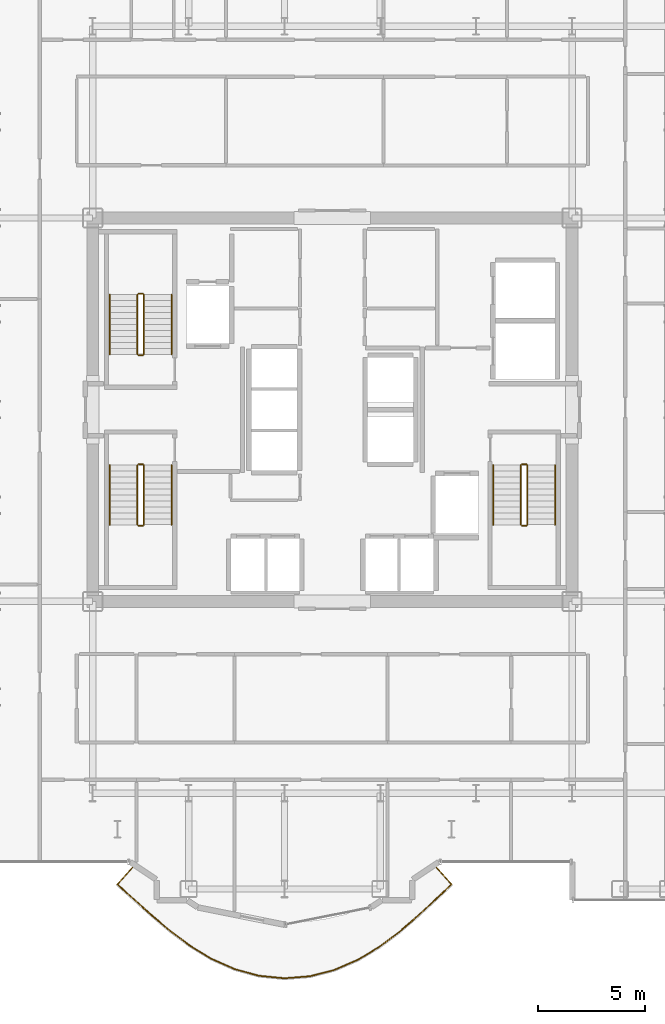
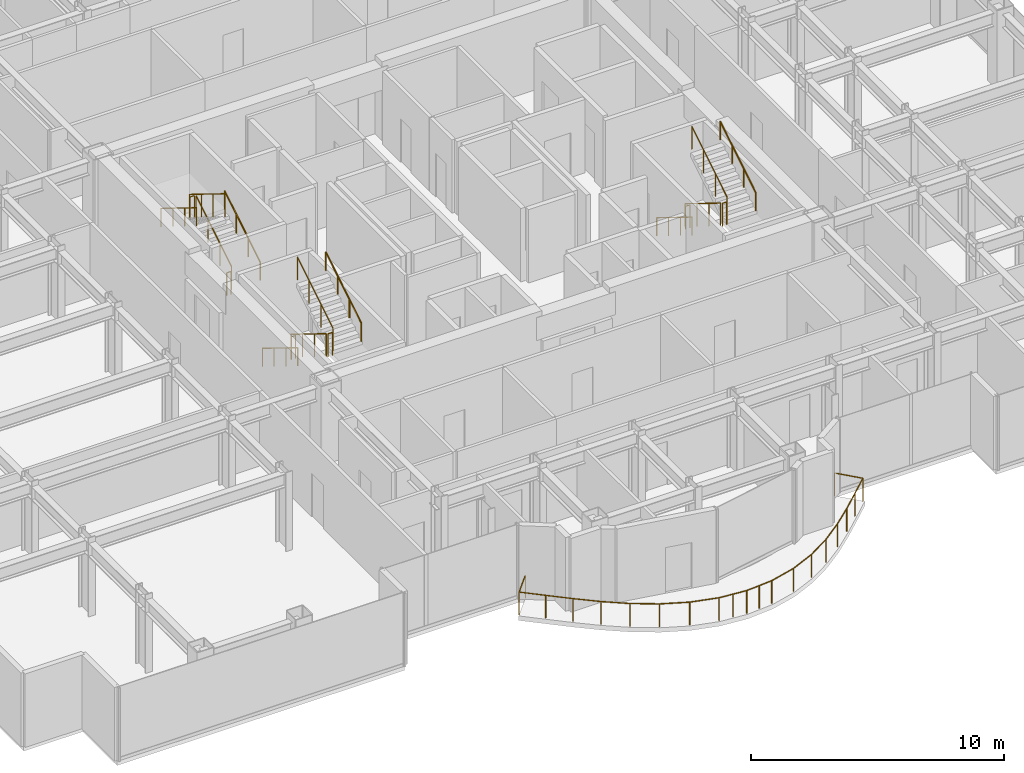
# One storey, part 22 of 23: 19 railings.
"""IFC4 building model written with IfcOpenShell, lengths in metres."""

from ifc_helpers import new_model, si_unit, direction, frame, origin, origin_2d, place, context, subcontext, project, spatial, circle, extrude, material, type_object, element, save


model = new_model("IFC4")

# Units and contexts
model_context = context("Model", 3, precision=1e-05, world=origin(), true_north=direction((0.0, 1.0)))
body_context = subcontext(model_context, "Body", "Model", "MODEL_VIEW")
ifc_project = project(units=[si_unit("LENGTHUNIT", "METRE"), si_unit("AREAUNIT", "SQUARE_METRE"), si_unit("VOLUMEUNIT", "CUBIC_METRE"), si_unit("PLANEANGLEUNIT", "RADIAN"), si_unit("MASSUNIT", "GRAM", prefix="KILO")], contexts=[model_context])

# Site, building, storey
site_placement = place(None, origin())
site = spatial("IfcSite", under=ifc_project, at=site_placement, CompositionType="ELEMENT")
building_placement = place(site_placement, origin())
building = spatial("IfcBuilding", under=site, at=building_placement, Name="Nefas-Gora Pilgrimage Tower", CompositionType="ELEMENT")
storey_placement = place(building_placement, frame((0.0, 0.0, 156.39990234375)))
storey = spatial("IfcBuildingStorey", under=building, at=storey_placement, Name="L38", CompositionType="ELEMENT", Elevation=156.39990234375)

# Railings
ifc_material_1 = material(Name="Laminated safety glass and stainless steel", Category="steel")
railing_type_1 = type_object("IfcRailingType", Name="RLG-BAL-1100", PredefinedType="BALUSTRADE", material=ifc_material_1)
railing_1_placement = place(storey_placement, frame((-9.302490234375, -21.402587890625, 0.0)))
element("IfcRailing", 1, at=railing_1_placement, inside=storey, type_object=railing_type_1, Name="L38 Wave Balcony Balustrade S2", PredefinedType="BALUSTRADE", context=body_context, shape_type="SweptSolid", body=[
    extrude(circle(Radius=0.02392578125, at=origin_2d()), frame((0.0, 0.0, 1.09619140625), z_axis=(-0.669113274241, -0.74316043102, 0.0), x_axis=(0.74316043102, -0.669113274241, 0.0)), (0.0, 0.0, 1.0), 1.180419921875),
    extrude(circle(Radius=0.02392578125, at=origin_2d()), frame((-0.789794921875, -0.877197265625, 1.09619140625), z_axis=(0.741691494507, -0.670741177337, 0.0), x_axis=(0.670741177337, 0.741691494507, 0.0)), (0.0, 0.0, 1.0), 1.0771484375),
    extrude(circle(Radius=0.02392578125, at=origin_2d()), frame((0.009033203125, -1.599609375, 1.09619140625), z_axis=(0.744512131343, -0.667608932147, 0.0), x_axis=(0.667608932147, 0.744512131343, 0.0)), (0.0, 0.0, 1.0), 1.09521484375),
    extrude(circle(Radius=0.02392578125, at=origin_2d()), frame((0.824462890625, -2.330810546875, 1.09619140625), z_axis=(0.763015425676, -0.64638027521, 0.0), x_axis=(0.64638027521, 0.763015425676, 0.0)), (0.0, 0.0, 1.0), 1.1240234375),
    extrude(circle(Radius=0.02392578125, at=origin_2d()), frame((1.68212890625, -3.057373046875, 1.09619140625), z_axis=(0.800735220579, -0.599018452574, 0.0), x_axis=(0.599018452574, 0.800735220579, 0.0)), (0.0, 0.0, 1.0), 1.154541015625),
    extrude(circle(Radius=0.02392578125, at=origin_2d()), frame((2.606689453125, -3.7490234375, 1.09619140625), z_axis=(0.853742280901, -0.520695801598, 0.0), x_axis=(0.520695801598, 0.853742280901, 0.0)), (0.0, 0.0, 1.0), 1.1787109375),
    extrude(circle(Radius=0.02392578125, at=origin_2d()), frame((3.613037109375, -4.36279296875, 1.09619140625), z_axis=(0.912533024613, -0.409003030539, 0.0), x_axis=(0.409003030539, 0.912533024613, 0.0)), (0.0, 0.0, 1.0), 1.193115234375),
    extrude(circle(Radius=0.02392578125, at=origin_2d()), frame((4.701904296875, -4.850830078125, 1.09619140625), z_axis=(0.964107720996, -0.265511397715, 0.0), x_axis=(0.265511397715, 0.964107720996, 0.0)), (0.0, 0.0, 1.0), 1.198974609375),
    extrude(circle(Radius=0.02392578125, at=origin_2d()), frame((5.85791015625, -5.169189453125, 1.09619140625), z_axis=(0.99518310835, -0.098033570044, 0.0), x_axis=(0.098033570044, 0.99518310835, 0.0)), (0.0, 0.0, 1.0), 1.200439453125),
    extrude(circle(Radius=0.02392578125, at=origin_2d()), frame((7.052490234375, -5.286865234375, 1.09619140625), z_axis=(0.996817864329, 0.079712893272, 0.0), x_axis=(-0.079712893272, 0.996817864329, 0.0)), (0.0, 0.0, 1.0), 1.20068359375),
    extrude(circle(Radius=0.02392578125, at=origin_2d()), frame((8.249267578125, -5.191162109375, 1.09619140625), z_axis=(0.96811032682, 0.250524240554, 0.0), x_axis=(-0.250524240554, 0.96811032682, 0.0)), (0.0, 0.0, 1.0), 1.19970703125),
    extrude(circle(Radius=0.02392578125, at=origin_2d()), frame((9.41064453125, -4.890625, 1.09619140625), z_axis=(0.917018073476, 0.398845650496, 0.0), x_axis=(-0.398845650496, 0.917018073476, 0.0)), (0.0, 0.0, 1.0), 1.19482421875),
    extrude(circle(Radius=0.02392578125, at=origin_2d()), frame((10.50634765625, -4.4140625, 1.09619140625), z_axis=(0.856288410146, 0.516497975455, 0.0), x_axis=(-0.516497975455, 0.856288410146, 0.0)), (0.0, 0.0, 1.0), 1.1826171875),
    extrude(circle(Radius=0.02392578125, at=origin_2d()), frame((11.51904296875, -3.80322265625, 1.09619140625), z_axis=(0.799393735848, 0.600807502522, 0.0), x_axis=(-0.600807502522, 0.799393735848, 0.0)), (0.0, 0.0, 1.0), 1.16064453125),
    extrude(circle(Radius=0.02392578125, at=origin_2d()), frame((12.44677734375, -3.10595703125, 1.09619140625), z_axis=(0.756920087297, 0.653507445593, 0.0), x_axis=(-0.653507445593, 0.756920087297, 0.0)), (0.0, 0.0, 1.0), 1.130859375),
    extrude(circle(Radius=0.02392578125, at=origin_2d()), frame((13.302734375, -2.366943359375, 1.09619140625), z_axis=(0.733756578496, 0.679412454635, 0.0), x_axis=(-0.679412454635, 0.733756578496, 0.0)), (0.0, 0.0, 1.0), 1.1005859375),
    extrude(circle(Radius=0.02392578125, at=origin_2d()), frame((14.1103515625, -1.619140625, 1.09619140625), z_axis=(0.727934382881, 0.685646799905, 0.0), x_axis=(-0.685646799905, 0.727934382881, 0.0)), (0.0, 0.0, 1.0), 1.07958984375),
    extrude(circle(Radius=0.02392578125, at=origin_2d()), frame((14.896240234375, -0.87890625, 1.09619140625), z_axis=(-0.669078780144, 0.743191486739, 0.0), x_axis=(-0.743191486739, -0.669078780144, 0.0)), (0.0, 0.0, 1.0), 1.1826171875),
    extrude(circle(Radius=0.02099609375, at=origin_2d()), origin(), (0.0, 0.0, 1.0), 1.072021484375),
    extrude(circle(Radius=0.02099609375, at=origin_2d()), frame((-0.789794921875, -0.877197265625, 0.0)), (0.0, 0.0, 1.0), 1.072021484375),
    extrude(circle(Radius=0.02099609375, at=origin_2d()), frame((0.009033203125, -1.599609375, 0.0)), (0.0, 0.0, 1.0), 1.072021484375),
    extrude(circle(Radius=0.02099609375, at=origin_2d()), frame((0.824462890625, -2.330810546875, 0.0)), (0.0, 0.0, 1.0), 1.072021484375),
    extrude(circle(Radius=0.02099609375, at=origin_2d()), frame((1.68212890625, -3.057373046875, 0.0)), (0.0, 0.0, 1.0), 1.072021484375),
    extrude(circle(Radius=0.02099609375, at=origin_2d()), frame((2.606689453125, -3.7490234375, 0.0)), (0.0, 0.0, 1.0), 1.072021484375),
    extrude(circle(Radius=0.02099609375, at=origin_2d()), frame((3.613037109375, -4.36279296875, 0.0)), (0.0, 0.0, 1.0), 1.072021484375),
    extrude(circle(Radius=0.02099609375, at=origin_2d()), frame((4.701904296875, -4.850830078125, 0.0)), (0.0, 0.0, 1.0), 1.072021484375),
    extrude(circle(Radius=0.02099609375, at=origin_2d()), frame((5.85791015625, -5.169189453125, 0.0)), (0.0, 0.0, 1.0), 1.072021484375),
    extrude(circle(Radius=0.02099609375, at=origin_2d()), frame((6.455078125, -5.22802734375, 0.0)), (0.0, 0.0, 1.0), 1.072021484375),
    extrude(circle(Radius=0.02099609375, at=origin_2d()), frame((7.052490234375, -5.286865234375, 0.0)), (0.0, 0.0, 1.0), 1.072021484375),
    extrude(circle(Radius=0.02099609375, at=origin_2d()), frame((7.65087890625, -5.239013671875, 0.0)), (0.0, 0.0, 1.0), 1.072021484375),
    extrude(circle(Radius=0.02099609375, at=origin_2d()), frame((8.249267578125, -5.191162109375, 0.0)), (0.0, 0.0, 1.0), 1.072021484375),
    extrude(circle(Radius=0.02099609375, at=origin_2d()), frame((9.41064453125, -4.890625, 0.0)), (0.0, 0.0, 1.0), 1.072021484375),
    extrude(circle(Radius=0.02099609375, at=origin_2d()), frame((10.50634765625, -4.4140625, 0.0)), (0.0, 0.0, 1.0), 1.072021484375),
    extrude(circle(Radius=0.02099609375, at=origin_2d()), frame((11.51904296875, -3.80322265625, 0.0)), (0.0, 0.0, 1.0), 1.072021484375),
    extrude(circle(Radius=0.02099609375, at=origin_2d()), frame((12.44677734375, -3.10595703125, 0.0)), (0.0, 0.0, 1.0), 1.072021484375),
    extrude(circle(Radius=0.02099609375, at=origin_2d()), frame((13.302734375, -2.366943359375, 0.0)), (0.0, 0.0, 1.0), 1.072021484375),
    extrude(circle(Radius=0.02099609375, at=origin_2d()), frame((14.1103515625, -1.619140625, 0.0)), (0.0, 0.0, 1.0), 1.072021484375),
    extrude(circle(Radius=0.02099609375, at=origin_2d()), frame((14.896240234375, -0.87890625, 0.0)), (0.0, 0.0, 1.0), 1.072021484375),
    extrude(circle(Radius=0.02099609375, at=origin_2d()), frame((14.10498046875, 0.0, 0.0)), (0.0, 0.0, 1.0), 1.072021484375),
])
ifc_material_2 = material(Name="Painted galvanised steel", Category="steel")
railing_type_2 = type_object("IfcRailingType", Name="RLG-STR-GUARD-1100", PredefinedType="GUARDRAIL", material=ifc_material_2)
railing_2_placement = place(storey_placement, frame((-8.85009765625, 2.60009765625, 0.1728515625)))
element("IfcRailing", 2, at=railing_2_placement, inside=storey, type_object=railing_type_2, Name="L38 ST-01 stair guard 1", PredefinedType="GUARDRAIL", context=body_context, shape_type="SweptSolid", body=[
    extrude(circle(Radius=0.02392578125, at=origin_2d()), frame((0.0, 0.0, 1.09619140625), z_axis=(0.0, 0.851069175582, 0.525053576669), x_axis=(-1.0, 0.0, 0.0)), (0.0, 0.0, 1.0), 3.289794921875),
    extrude(circle(Radius=0.02099609375, at=origin_2d()), origin(), (0.0, 0.0, 1.0), 1.072021484375),
    extrude(circle(Radius=0.02099609375, at=origin_2d()), frame((0.0, 0.933349609375, 0.57568359375)), (0.0, 0.0, 1.0), 1.072021484375),
    extrude(circle(Radius=0.02099609375, at=origin_2d()), frame((0.0, 1.866455078125, 1.151611328125)), (0.0, 0.0, 1.0), 1.072021484375),
    extrude(circle(Radius=0.02099609375, at=origin_2d()), frame((0.0, 2.7998046875, 1.727294921875)), (0.0, 0.0, 1.0), 1.072021484375),
])
railing_3_placement = place(storey_placement, frame((-8.89990234375, 5.449951171875, 1.900146484375)))
element("IfcRailing", 3, at=railing_3_placement, inside=storey, type_object=railing_type_2, Name="L38 ST-01 stair guard 2", PredefinedType="GUARDRAIL", context=body_context, shape_type="SweptSolid", body=[
    extrude(circle(Radius=0.02392578125, at=origin_2d()), frame((0.0, 0.0, 1.09619140625), z_axis=(-1.0, 0.0, 0.0), x_axis=(0.0, -1.0, 0.0)), (0.0, 0.0, 1.0), 0.2001953125),
    extrude(circle(Radius=0.02099609375, at=origin_2d()), origin(), (0.0, 0.0, 1.0), 1.072021484375),
    extrude(circle(Radius=0.02099609375, at=origin_2d()), frame((-0.2001953125, 0.0, 0.0)), (0.0, 0.0, 1.0), 1.072021484375),
])
railing_4_placement = place(storey_placement, frame((-9.14990234375, 5.39990234375, 2.07275390625)))
element("IfcRailing", 4, at=railing_4_placement, inside=storey, type_object=railing_type_2, Name="L38 ST-01 stair guard 3", PredefinedType="GUARDRAIL", context=body_context, shape_type="SweptSolid", body=[
    extrude(circle(Radius=0.02392578125, at=origin_2d()), frame((0.0, 0.0, 1.09619140625), z_axis=(0.0, -0.851069175582, 0.525053576669), x_axis=(1.0, 0.0, 0.0)), (0.0, 0.0, 1.0), 3.289794921875),
    extrude(circle(Radius=0.02099609375, at=origin_2d()), origin(), (0.0, 0.0, 1.0), 1.072021484375),
    extrude(circle(Radius=0.02099609375, at=origin_2d()), frame((0.0, -0.933349609375, 0.57568359375)), (0.0, 0.0, 1.0), 1.072021484375),
    extrude(circle(Radius=0.02099609375, at=origin_2d()), frame((0.0, -1.866455078125, 1.151611328125)), (0.0, 0.0, 1.0), 1.072021484375),
    extrude(circle(Radius=0.02099609375, at=origin_2d()), frame((0.0, -2.7998046875, 1.727294921875)), (0.0, 0.0, 1.0), 1.072021484375),
])
railing_5_placement = place(storey_placement, frame((-8.89990234375, 2.550048828125, 0.0)))
element("IfcRailing", 5, at=railing_5_placement, inside=storey, type_object=railing_type_2, Name="L38 ST-01 stair guard 4", PredefinedType="GUARDRAIL", context=body_context, shape_type="SweptSolid", body=[
    extrude(circle(Radius=0.02392578125, at=origin_2d()), frame((0.0, 0.0, 1.09619140625), z_axis=(-1.0, 0.0, 0.0), x_axis=(0.0, -1.0, 0.0)), (0.0, 0.0, 1.0), 0.2001953125),
    extrude(circle(Radius=0.02099609375, at=origin_2d()), origin(), (0.0, 0.0, 1.0), 1.072021484375),
    extrude(circle(Radius=0.02099609375, at=origin_2d()), frame((-0.2001953125, 0.0, 0.0)), (0.0, 0.0, 1.0), 1.072021484375),
])
railing_6_placement = place(storey_placement, frame((8.85009765625, -2.60009765625, 0.1728515625)))
element("IfcRailing", 6, at=railing_6_placement, inside=storey, type_object=railing_type_2, Name="L38 ST-02 stair guard 1", PredefinedType="GUARDRAIL", context=body_context, shape_type="SweptSolid", body=[
    extrude(circle(Radius=0.02392578125, at=origin_2d()), frame((0.0, 0.0, 1.09619140625), z_axis=(0.0, -0.851069175582, 0.525053576669), x_axis=(1.0, 0.0, 0.0)), (0.0, 0.0, 1.0), 3.289794921875),
    extrude(circle(Radius=0.02099609375, at=origin_2d()), origin(), (0.0, 0.0, 1.0), 1.072021484375),
    extrude(circle(Radius=0.02099609375, at=origin_2d()), frame((0.0, -0.933349609375, 0.57568359375)), (0.0, 0.0, 1.0), 1.072021484375),
    extrude(circle(Radius=0.02099609375, at=origin_2d()), frame((0.0, -1.866455078125, 1.151611328125)), (0.0, 0.0, 1.0), 1.072021484375),
    extrude(circle(Radius=0.02099609375, at=origin_2d()), frame((0.0, -2.7998046875, 1.727294921875)), (0.0, 0.0, 1.0), 1.072021484375),
])
railing_7_placement = place(storey_placement, frame((8.89990234375, -5.449951171875, 1.900146484375)))
element("IfcRailing", 7, at=railing_7_placement, inside=storey, type_object=railing_type_2, Name="L38 ST-02 stair guard 2", PredefinedType="GUARDRAIL", context=body_context, shape_type="SweptSolid", body=[
    extrude(circle(Radius=0.02392578125, at=origin_2d()), frame((0.0, 0.0, 1.09619140625), z_axis=(1.0, 0.0, 0.0), x_axis=(0.0, 1.0, 0.0)), (0.0, 0.0, 1.0), 0.2001953125),
    extrude(circle(Radius=0.02099609375, at=origin_2d()), origin(), (0.0, 0.0, 1.0), 1.072021484375),
    extrude(circle(Radius=0.02099609375, at=origin_2d()), frame((0.2001953125, 0.0, 0.0)), (0.0, 0.0, 1.0), 1.072021484375),
])
railing_8_placement = place(storey_placement, frame((9.14990234375, -5.39990234375, 2.07275390625)))
element("IfcRailing", 8, at=railing_8_placement, inside=storey, type_object=railing_type_2, Name="L38 ST-02 stair guard 3", PredefinedType="GUARDRAIL", context=body_context, shape_type="SweptSolid", body=[
    extrude(circle(Radius=0.02392578125, at=origin_2d()), frame((0.0, 0.0, 1.09619140625), z_axis=(0.0, 0.851069175582, 0.525053576669), x_axis=(-1.0, 0.0, 0.0)), (0.0, 0.0, 1.0), 3.289794921875),
    extrude(circle(Radius=0.02099609375, at=origin_2d()), origin(), (0.0, 0.0, 1.0), 1.072021484375),
    extrude(circle(Radius=0.02099609375, at=origin_2d()), frame((0.0, 0.933349609375, 0.57568359375)), (0.0, 0.0, 1.0), 1.072021484375),
    extrude(circle(Radius=0.02099609375, at=origin_2d()), frame((0.0, 1.866455078125, 1.151611328125)), (0.0, 0.0, 1.0), 1.072021484375),
    extrude(circle(Radius=0.02099609375, at=origin_2d()), frame((0.0, 2.7998046875, 1.727294921875)), (0.0, 0.0, 1.0), 1.072021484375),
])
railing_9_placement = place(storey_placement, frame((8.89990234375, -2.550048828125, 0.0)))
element("IfcRailing", 9, at=railing_9_placement, inside=storey, type_object=railing_type_2, Name="L38 ST-02 stair guard 4", PredefinedType="GUARDRAIL", context=body_context, shape_type="SweptSolid", body=[
    extrude(circle(Radius=0.02392578125, at=origin_2d()), frame((0.0, 0.0, 1.09619140625), z_axis=(1.0, 0.0, 0.0), x_axis=(0.0, 1.0, 0.0)), (0.0, 0.0, 1.0), 0.2001953125),
    extrude(circle(Radius=0.02099609375, at=origin_2d()), origin(), (0.0, 0.0, 1.0), 1.072021484375),
    extrude(circle(Radius=0.02099609375, at=origin_2d()), frame((0.2001953125, 0.0, 0.0)), (0.0, 0.0, 1.0), 1.072021484375),
])
railing_10_placement = place(storey_placement, frame((-9.14990234375, -2.60009765625, 0.1728515625)))
element("IfcRailing", 10, at=railing_10_placement, inside=storey, type_object=railing_type_2, Name="L38 ST-03 stair guard 1", PredefinedType="GUARDRAIL", context=body_context, shape_type="SweptSolid", body=[
    extrude(circle(Radius=0.02392578125, at=origin_2d()), frame((0.0, 0.0, 1.09619140625), z_axis=(0.0, -0.851069175582, 0.525053576669), x_axis=(1.0, 0.0, 0.0)), (0.0, 0.0, 1.0), 3.289794921875),
    extrude(circle(Radius=0.02099609375, at=origin_2d()), origin(), (0.0, 0.0, 1.0), 1.072021484375),
    extrude(circle(Radius=0.02099609375, at=origin_2d()), frame((0.0, -0.933349609375, 0.57568359375)), (0.0, 0.0, 1.0), 1.072021484375),
    extrude(circle(Radius=0.02099609375, at=origin_2d()), frame((0.0, -1.866455078125, 1.151611328125)), (0.0, 0.0, 1.0), 1.072021484375),
    extrude(circle(Radius=0.02099609375, at=origin_2d()), frame((0.0, -2.7998046875, 1.727294921875)), (0.0, 0.0, 1.0), 1.072021484375),
])
railing_11_placement = place(storey_placement, frame((-9.10009765625, -5.449951171875, 1.900146484375)))
element("IfcRailing", 11, at=railing_11_placement, inside=storey, type_object=railing_type_2, Name="L38 ST-03 stair guard 2", PredefinedType="GUARDRAIL", context=body_context, shape_type="SweptSolid", body=[
    extrude(circle(Radius=0.02392578125, at=origin_2d()), frame((0.0, 0.0, 1.09619140625), z_axis=(1.0, 0.0, 0.0), x_axis=(0.0, 1.0, 0.0)), (0.0, 0.0, 1.0), 0.2001953125),
    extrude(circle(Radius=0.02099609375, at=origin_2d()), origin(), (0.0, 0.0, 1.0), 1.072021484375),
    extrude(circle(Radius=0.02099609375, at=origin_2d()), frame((0.2001953125, 0.0, 0.0)), (0.0, 0.0, 1.0), 1.072021484375),
])
railing_12_placement = place(storey_placement, frame((-8.85009765625, -5.39990234375, 2.07275390625)))
element("IfcRailing", 12, at=railing_12_placement, inside=storey, type_object=railing_type_2, Name="L38 ST-03 stair guard 3", PredefinedType="GUARDRAIL", context=body_context, shape_type="SweptSolid", body=[
    extrude(circle(Radius=0.02392578125, at=origin_2d()), frame((0.0, 0.0, 1.09619140625), z_axis=(0.0, 0.851069175582, 0.525053576669), x_axis=(-1.0, 0.0, 0.0)), (0.0, 0.0, 1.0), 3.289794921875),
    extrude(circle(Radius=0.02099609375, at=origin_2d()), origin(), (0.0, 0.0, 1.0), 1.072021484375),
    extrude(circle(Radius=0.02099609375, at=origin_2d()), frame((0.0, 0.933349609375, 0.57568359375)), (0.0, 0.0, 1.0), 1.072021484375),
    extrude(circle(Radius=0.02099609375, at=origin_2d()), frame((0.0, 1.866455078125, 1.151611328125)), (0.0, 0.0, 1.0), 1.072021484375),
    extrude(circle(Radius=0.02099609375, at=origin_2d()), frame((0.0, 2.7998046875, 1.727294921875)), (0.0, 0.0, 1.0), 1.072021484375),
])
railing_13_placement = place(storey_placement, frame((-9.10009765625, -2.550048828125, 0.0)))
element("IfcRailing", 13, at=railing_13_placement, inside=storey, type_object=railing_type_2, Name="L38 ST-03 stair guard 4", PredefinedType="GUARDRAIL", context=body_context, shape_type="SweptSolid", body=[
    extrude(circle(Radius=0.02392578125, at=origin_2d()), frame((0.0, 0.0, 1.09619140625), z_axis=(1.0, 0.0, 0.0), x_axis=(0.0, 1.0, 0.0)), (0.0, 0.0, 1.0), 0.2001953125),
    extrude(circle(Radius=0.02099609375, at=origin_2d()), origin(), (0.0, 0.0, 1.0), 1.072021484375),
    extrude(circle(Radius=0.02099609375, at=origin_2d()), frame((0.2001953125, 0.0, 0.0)), (0.0, 0.0, 1.0), 1.072021484375),
])
ifc_material_3 = material(Name="Brushed stainless steel", Category="steel")
railing_type_3 = type_object("IfcRailingType", Name="RLG-STR-HAND-900", PredefinedType="HANDRAIL", material=ifc_material_3)
railing_14_placement = place(storey_placement, frame((-7.550048828125, 2.60009765625, 0.1728515625)))
element("IfcRailing", 14, at=railing_14_placement, inside=storey, type_object=railing_type_3, Name="L38 ST-01 stair handrail 1", PredefinedType="HANDRAIL", context=body_context, shape_type="SweptSolid", body=[
    extrude(circle(Radius=0.02392578125, at=origin_2d()), frame((0.0, 0.0, 0.8759765625), z_axis=(0.0, 0.851069175582, 0.525053576669), x_axis=(-1.0, 0.0, 0.0)), (0.0, 0.0, 1.0), 3.289794921875),
    extrude(circle(Radius=0.02099609375, at=origin_2d()), origin(), (0.0, 0.0, 1.0), 0.851806640625),
    extrude(circle(Radius=0.02099609375, at=origin_2d()), frame((0.0, 0.933349609375, 0.57568359375)), (0.0, 0.0, 1.0), 0.851806640625),
    extrude(circle(Radius=0.02099609375, at=origin_2d()), frame((0.0, 1.866455078125, 1.151611328125)), (0.0, 0.0, 1.0), 0.851806640625),
    extrude(circle(Radius=0.02099609375, at=origin_2d()), frame((0.0, 2.7998046875, 1.727294921875)), (0.0, 0.0, 1.0), 0.851806640625),
])
for number, where, name in (
    (15, (-10.449951171875, 5.39990234375, 2.07275390625), "L38 ST-01 stair handrail 2"),
    (16, (7.550048828125, -2.60009765625, 0.1728515625), "L38 ST-02 stair handrail 1"),
):
    element("IfcRailing", number, at=place(storey_placement, frame(where)), inside=storey, type_object=railing_type_3, Name=name, PredefinedType="HANDRAIL", context=body_context, shape_type="SweptSolid", body=[
        extrude(circle(Radius=0.02392578125, at=origin_2d()), frame((0.0, 0.0, 0.8759765625), z_axis=(0.0, -0.851069175582, 0.525053576669), x_axis=(1.0, 0.0, 0.0)), (0.0, 0.0, 1.0), 3.289794921875),
        extrude(circle(Radius=0.02099609375, at=origin_2d()), origin(), (0.0, 0.0, 1.0), 0.851806640625),
        extrude(circle(Radius=0.02099609375, at=origin_2d()), frame((0.0, -0.933349609375, 0.57568359375)), (0.0, 0.0, 1.0), 0.851806640625),
        extrude(circle(Radius=0.02099609375, at=origin_2d()), frame((0.0, -1.866455078125, 1.151611328125)), (0.0, 0.0, 1.0), 0.851806640625),
        extrude(circle(Radius=0.02099609375, at=origin_2d()), frame((0.0, -2.7998046875, 1.727294921875)), (0.0, 0.0, 1.0), 0.851806640625),
    ])
railing_15_placement = place(storey_placement, frame((10.449951171875, -5.39990234375, 2.07275390625)))
element("IfcRailing", 17, at=railing_15_placement, inside=storey, type_object=railing_type_3, Name="L38 ST-02 stair handrail 2", PredefinedType="HANDRAIL", context=body_context, shape_type="SweptSolid", body=[
    extrude(circle(Radius=0.02392578125, at=origin_2d()), frame((0.0, 0.0, 0.8759765625), z_axis=(0.0, 0.851069175582, 0.525053576669), x_axis=(-1.0, 0.0, 0.0)), (0.0, 0.0, 1.0), 3.289794921875),
    extrude(circle(Radius=0.02099609375, at=origin_2d()), origin(), (0.0, 0.0, 1.0), 0.851806640625),
    extrude(circle(Radius=0.02099609375, at=origin_2d()), frame((0.0, 0.933349609375, 0.57568359375)), (0.0, 0.0, 1.0), 0.851806640625),
    extrude(circle(Radius=0.02099609375, at=origin_2d()), frame((0.0, 1.866455078125, 1.151611328125)), (0.0, 0.0, 1.0), 0.851806640625),
    extrude(circle(Radius=0.02099609375, at=origin_2d()), frame((0.0, 2.7998046875, 1.727294921875)), (0.0, 0.0, 1.0), 0.851806640625),
])
railing_16_placement = place(storey_placement, frame((-10.449951171875, -2.60009765625, 0.1728515625)))
element("IfcRailing", 18, at=railing_16_placement, inside=storey, type_object=railing_type_3, Name="L38 ST-03 stair handrail 1", PredefinedType="HANDRAIL", context=body_context, shape_type="SweptSolid", body=[
    extrude(circle(Radius=0.02392578125, at=origin_2d()), frame((0.0, 0.0, 0.8759765625), z_axis=(0.0, -0.851069175582, 0.525053576669), x_axis=(1.0, 0.0, 0.0)), (0.0, 0.0, 1.0), 3.289794921875),
    extrude(circle(Radius=0.02099609375, at=origin_2d()), origin(), (0.0, 0.0, 1.0), 0.851806640625),
    extrude(circle(Radius=0.02099609375, at=origin_2d()), frame((0.0, -0.933349609375, 0.57568359375)), (0.0, 0.0, 1.0), 0.851806640625),
    extrude(circle(Radius=0.02099609375, at=origin_2d()), frame((0.0, -1.866455078125, 1.151611328125)), (0.0, 0.0, 1.0), 0.851806640625),
    extrude(circle(Radius=0.02099609375, at=origin_2d()), frame((0.0, -2.7998046875, 1.727294921875)), (0.0, 0.0, 1.0), 0.851806640625),
])
railing_17_placement = place(storey_placement, frame((-7.550048828125, -5.39990234375, 2.07275390625)))
element("IfcRailing", 19, at=railing_17_placement, inside=storey, type_object=railing_type_3, Name="L38 ST-03 stair handrail 2", PredefinedType="HANDRAIL", context=body_context, shape_type="SweptSolid", body=[
    extrude(circle(Radius=0.02392578125, at=origin_2d()), frame((0.0, 0.0, 0.8759765625), z_axis=(0.0, 0.851069175582, 0.525053576669), x_axis=(-1.0, 0.0, 0.0)), (0.0, 0.0, 1.0), 3.289794921875),
    extrude(circle(Radius=0.02099609375, at=origin_2d()), origin(), (0.0, 0.0, 1.0), 0.851806640625),
    extrude(circle(Radius=0.02099609375, at=origin_2d()), frame((0.0, 0.933349609375, 0.57568359375)), (0.0, 0.0, 1.0), 0.851806640625),
    extrude(circle(Radius=0.02099609375, at=origin_2d()), frame((0.0, 1.866455078125, 1.151611328125)), (0.0, 0.0, 1.0), 0.851806640625),
    extrude(circle(Radius=0.02099609375, at=origin_2d()), frame((0.0, 2.7998046875, 1.727294921875)), (0.0, 0.0, 1.0), 0.851806640625),
])

save(model, "model.ifc")
